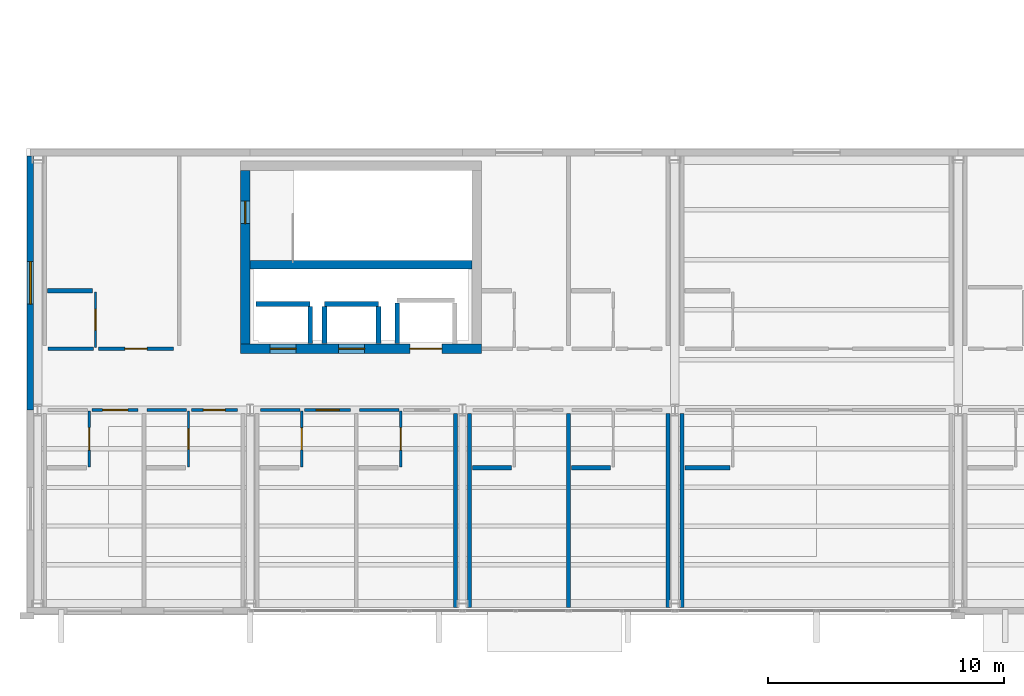
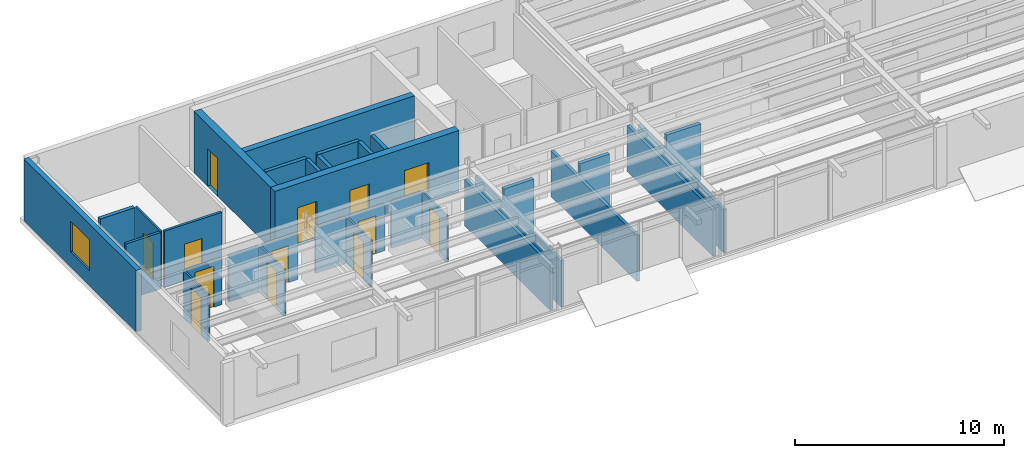
# One storey, part 12 of 19: 32 walls, 13 doors, 1 window, 14 openings.
"""IFC4 building model written with IfcOpenShell, lengths in metres."""

from ifc_helpers import new_model, si_unit, direction, frame, frame_2d, origin, place, context, subcontext, project, spatial, rectangle, extrude, material, layer, layer_set, type_object, element, fill, save


model = new_model("IFC4")

# Units and contexts
model_context = context("Model", 3, precision=1e-05, world=origin(), true_north=direction((0.0, 1.0)))
body_context = subcontext(model_context, "Body", "Model", "MODEL_VIEW")
ifc_project = project(units=[si_unit("LENGTHUNIT", "METRE"), si_unit("AREAUNIT", "SQUARE_METRE"), si_unit("VOLUMEUNIT", "CUBIC_METRE"), si_unit("PLANEANGLEUNIT", "RADIAN"), si_unit("MASSUNIT", "GRAM", prefix="KILO")], contexts=[model_context])

# Site, building, storey
site_placement = place(None, origin())
site = spatial("IfcSite", under=ifc_project, at=site_placement, CompositionType="ELEMENT")
building_placement = place(site_placement, origin())
building = spatial("IfcBuilding", under=site, at=building_placement, Name="Sollismere Congress Hotel", CompositionType="ELEMENT")
storey_placement = place(building_placement, frame((0.0, 0.0, 44.60009765625)))
storey = spatial("IfcBuildingStorey", under=building, at=storey_placement, Name="L11", CompositionType="ELEMENT", Elevation=44.60009765625)

# Wall, opening, window
ifc_material_1 = material(Name="Colorado Buff Sandstone Rainscreen on Insulated Backup", Category="masonry")
ifc_layer_1 = layer(ifc_material_1, 0.284912109375, Name="Colorado Buff Sandstone Rainscreen on Insulated Backup")
ifc_layer_set_1 = layer_set([ifc_layer_1], Name="Colorado Buff Sandstone Rainscreen on Insulated Backup")
wall_type_1 = type_object("IfcWallType", Name="WL-EXT285", PredefinedType="STANDARD", material=ifc_layer_set_1)
wall_1_placement = place(storey_placement, frame((84.68994140625, 18.965576171875, 0.0), z_axis=(0.0, 0.0, 1.0), x_axis=(0.0, -1.0, 0.0)))
wall_1 = element("IfcWall", 1, at=wall_1_placement, inside=storey, type_object=wall_type_1, Name="Exterior wall EW-L11-1030", PredefinedType="STANDARD", context=body_context, shape_type="SweptSolid", body=[
    extrude(rectangle(XDim=10.765625, YDim=0.284912109375, at=frame_2d((5.3828125, 0.0))), origin(), (0.0, 0.0, 1.0), 3.599853515625),
])
opening_1_placement = place(wall_1_placement, frame((4.482666015625, 0.0, 0.8798828125)))
opening_1 = element("IfcOpeningElement", 2, at=opening_1_placement, cuts=wall_1, Name="Opening W-L11-731", PredefinedType="OPENING", context=body_context, shape_type="SweptSolid", body=[
    extrude(rectangle(XDim=1.800048828125, YDim=1.800048828125, at=frame_2d((0.89990234375, 0.89990234375))), frame((0.0, 0.15234375, 0.0), z_axis=(0.0, -1.0, 0.0), x_axis=(1.0, 0.0, 0.0)), (0.0, 0.0, 1.0), 0.304931640625),
])
ifc_material_2 = material(Name="Thermally Broken Bronze Aluminum & Low-E Glass", Category="aluminium")
window_type = type_object("IfcWindowType", Name="WN-P180x180", PartitioningType="SINGLE_PANEL", PredefinedType="WINDOW", material=ifc_material_2)
window_placement = place(opening_1_placement, origin())
window = element("IfcWindow", 3, at=window_placement, inside=storey, type_object=window_type, Name="WIN-W-L11-731", OverallHeight=1.800048828125, OverallWidth=1.800048828125, PartitioningType="SINGLE_PANEL", PredefinedType="WINDOW", context=body_context, shape_type="SweptSolid", body=[
    extrude(rectangle(XDim=1.800048828125, YDim=1.800048828125, at=frame_2d((0.89990234375, 0.89990234375))), frame((0.0, 0.030029296875, 0.0), z_axis=(0.0, -1.0, 0.0), x_axis=(1.0, 0.0, 0.0)), (0.0, 0.0, 1.0), 0.06005859375),
])
fill(opening_1, window)

# Walls
ifc_material_3 = material(Name="Moisture-Resistant Shaft Gypsum Assembly")
ifc_layer_2 = layer(ifc_material_3, 0.199951171875, Name="Moisture-Resistant Shaft Gypsum Assembly")
ifc_layer_set_2 = layer_set([ifc_layer_2], Name="Moisture-Resistant Shaft Gypsum Assembly")
wall_type_2 = type_object("IfcWallType", Name="WL-PLM200", PredefinedType="PLUMBINGWALL", material=ifc_layer_set_2)
wall_2_placement = place(storey_placement, frame((94.2548828125, 12.68994140625, 0.0), z_axis=(0.0, 0.0, 1.0), x_axis=(1.0, 0.0, 0.0)))
element("IfcWall", 4, at=wall_2_placement, inside=storey, type_object=wall_type_2, Name="Interior wall IW-L11-0370", PredefinedType="PLUMBINGWALL", context=body_context, shape_type="SweptSolid", body=[
    extrude(rectangle(XDim=2.2900390625, YDim=0.199951171875, at=frame_2d((1.14501953125, 0.0))), origin(), (0.0, 0.0, 1.0), 3.2998046875),
])
wall_3_placement = place(storey_placement, frame((96.544921875, 11.011962890625, 0.0), z_axis=(0.0, 0.0, 1.0), x_axis=(0.0, 1.0, 0.0)))
element("IfcWall", 5, at=wall_3_placement, inside=storey, type_object=wall_type_2, Name="Interior wall IW-L11-0371", PredefinedType="PLUMBINGWALL", context=body_context, shape_type="SweptSolid", body=[
    extrude(rectangle(XDim=1.56591796875, YDim=0.199951171875, at=frame_2d((0.782958984375, 0.0))), origin(), (0.0, 0.0, 1.0), 3.2998046875),
])
wall_4_placement = place(storey_placement, frame((97.155029296875, 12.68994140625, 0.0), z_axis=(0.0, 0.0, 1.0), x_axis=(1.0, 0.0, 0.0)))
element("IfcWall", 6, at=wall_4_placement, inside=storey, type_object=wall_type_2, Name="Interior wall IW-L11-0372", PredefinedType="PLUMBINGWALL", context=body_context, shape_type="SweptSolid", body=[
    extrude(rectangle(XDim=2.2900390625, YDim=0.199951171875, at=frame_2d((1.14501953125, 0.0))), origin(), (0.0, 0.0, 1.0), 3.2998046875),
])
for number, where, z_axis, x_axis, name in (
    (7, (97.155029296875, 11.011962890625, 0.0), (0.0, 0.0, 1.0), (0.0, 1.0, 0.0), "Interior wall IW-L11-0373"),
    (8, (99.445068359375, 11.011962890625, 0.0), (0.0, 0.0, 1.0), (0.0, 1.0, 0.0), "Interior wall IW-L11-0374"),
):
    element("IfcWall", number, at=place(storey_placement, frame(where, z_axis=z_axis, x_axis=x_axis)), inside=storey, type_object=wall_type_2, Name=name, PredefinedType="PLUMBINGWALL", context=body_context, shape_type="SweptSolid", body=[
        extrude(rectangle(XDim=1.56591796875, YDim=0.199951171875, at=frame_2d((0.782958984375, 0.0))), origin(), (0.0, 0.0, 1.0), 3.2998046875),
    ])
wall_5_placement = place(storey_placement, frame((100.22998046875, 11.011962890625, 0.0), z_axis=(0.0, 0.0, 1.0), x_axis=(0.0, 1.0, 0.0)))
element("IfcWall", 9, at=wall_5_placement, inside=storey, type_object=wall_type_2, Name="Interior wall IW-L11-0376", PredefinedType="PLUMBINGWALL", context=body_context, shape_type="SweptSolid", body=[
    extrude(rectangle(XDim=1.720947265625, YDim=0.199951171875, at=frame_2d((0.8603515625, 0.0))), origin(), (0.0, 0.0, 1.0), 3.2998046875),
])
wall_6_placement = place(storey_placement, frame((85.419921875, 13.25, 0.0), z_axis=(0.0, 0.0, 1.0), x_axis=(1.0, 0.0, 0.0)))
element("IfcWall", 10, at=wall_6_placement, inside=storey, type_object=wall_type_2, Name="Interior wall IW-L11-2890", PredefinedType="PLUMBINGWALL", context=body_context, shape_type="SweptSolid", body=[
    extrude(rectangle(XDim=1.91015625, YDim=0.199951171875, at=frame_2d((0.955078125, 0.0))), origin(), (0.0, 0.0, 1.0), 3.2998046875),
])
wall_7_placement = place(storey_placement, frame((103.419921875, 5.75, 0.0), z_axis=(0.0, 0.0, 1.0), x_axis=(1.0, 0.0, 0.0)))
element("IfcWall", 11, at=wall_7_placement, inside=storey, type_object=wall_type_2, Name="Interior wall IW-L11-2907", PredefinedType="PLUMBINGWALL", context=body_context, shape_type="SweptSolid", body=[
    extrude(rectangle(XDim=1.650146484375, YDim=0.199951171875, at=frame_2d((0.8251953125, 0.0))), origin(), (0.0, 0.0, 1.0), 3.2998046875),
])
wall_8_placement = place(storey_placement, frame((107.6201171875, 5.75, 0.0), z_axis=(0.0, 0.0, 1.0), x_axis=(1.0, 0.0, 0.0)))
element("IfcWall", 12, at=wall_8_placement, inside=storey, type_object=wall_type_2, Name="Interior wall IW-L11-2912", PredefinedType="PLUMBINGWALL", context=body_context, shape_type="SweptSolid", body=[
    extrude(rectangle(XDim=1.64990234375, YDim=0.199951171875, at=frame_2d((0.824951171875, 0.0))), origin(), (0.0, 0.0, 1.0), 3.2998046875),
])
wall_9_placement = place(storey_placement, frame((112.419921875, 5.75, 0.0), z_axis=(0.0, 0.0, 1.0), x_axis=(1.0, 0.0, 0.0)))
element("IfcWall", 13, at=wall_9_placement, inside=storey, type_object=wall_type_2, Name="Interior wall IW-L11-2928", PredefinedType="PLUMBINGWALL", context=body_context, shape_type="SweptSolid", body=[
    extrude(rectangle(XDim=1.91015625, YDim=0.199951171875, at=frame_2d((0.955078125, 0.0))), origin(), (0.0, 0.0, 1.0), 3.2998046875),
])

# Wall, opening, door
ifc_material_4 = material(Name="Moisture-Resistant Gypsum Partition")
ifc_layer_3 = layer(ifc_material_4, 0.10009765625, Name="Moisture-Resistant Gypsum Partition")
ifc_layer_set_3 = layer_set([ifc_layer_3], Name="Moisture-Resistant Gypsum Partition")
wall_type_3 = type_object("IfcWallType", Name="WL-PRT100", PredefinedType="PARTITIONING", material=ifc_layer_set_3)
wall_10_placement = place(storey_placement, frame((87.18994140625, 5.7900390625, 0.0), z_axis=(0.0, 0.0, 1.0), x_axis=(0.0, 1.0, 0.0)))
wall_10 = element("IfcWall", 14, at=wall_10_placement, inside=storey, type_object=wall_type_3, Name="Interior wall IW-L11-2878", PredefinedType="PARTITIONING", context=body_context, shape_type="SweptSolid", body=[
    extrude(rectangle(XDim=2.369873046875, YDim=0.10009765625, at=frame_2d((1.18505859375, 0.0))), origin(), (0.0, 0.0, 1.0), 2.712890625),
])
opening_2_placement = place(wall_10_placement, frame((0.7080078125, 0.0, 0.0)))
opening_2 = element("IfcOpeningElement", 15, at=opening_2_placement, cuts=wall_10, Name="Opening D-L11-1017", PredefinedType="OPENING", context=body_context, shape_type="SweptSolid", body=[
    extrude(rectangle(XDim=0.955078125, YDim=2.139892578125, at=frame_2d((0.4775390625, 1.06982421875))), frame((0.0, 0.06005859375, 0.0), z_axis=(0.0, -1.0, 0.0), x_axis=(1.0, 0.0, 0.0)), (0.0, 0.0, 1.0), 0.1201171875),
])
ifc_material_5 = material(Name="Moisture-Sealed Timber Bathroom Door", Category="wood")
door_type_1 = type_object("IfcDoorType", Name="DR-BT04", OperationType="NOTDEFINED", PredefinedType="DOOR", material=ifc_material_5)
door_1_placement = place(opening_2_placement, origin())
door_1 = element("IfcDoor", 16, at=door_1_placement, inside=storey, type_object=door_type_1, Name="En-suite bathroom door D-L11-1017", OperationType="SINGLE_SWING_RIGHT", OverallHeight=2.139892578125, OverallWidth=0.955078125, PredefinedType="DOOR", context=body_context, shape_type="SweptSolid", body=[
    extrude(rectangle(XDim=0.955078125, YDim=2.139892578125, at=frame_2d((0.4775390625, 1.06982421875))), frame((0.0, 0.02490234375, 0.0), z_axis=(0.0, -1.0, 0.0), x_axis=(1.0, 0.0, 0.0)), (0.0, 0.0, 1.0), 0.050048828125),
])
fill(opening_2, door_1)

wall_11_placement = place(storey_placement, frame((91.389892578125, 5.7900390625, 0.0), z_axis=(0.0, 0.0, 1.0), x_axis=(0.0, 1.0, 0.0)))
wall_11 = element("IfcWall", 17, at=wall_11_placement, inside=storey, type_object=wall_type_3, Name="Interior wall IW-L11-2883", PredefinedType="PARTITIONING", context=body_context, shape_type="SweptSolid", body=[
    extrude(rectangle(XDim=2.369873046875, YDim=0.10009765625, at=frame_2d((1.18505859375, 0.0))), origin(), (0.0, 0.0, 1.0), 2.712890625),
])
opening_3_placement = place(wall_11_placement, frame((0.7451171875, 0.0, 0.0)))
opening_3 = element("IfcOpeningElement", 18, at=opening_3_placement, cuts=wall_11, Name="Opening D-L11-1019", PredefinedType="OPENING", context=body_context, shape_type="SweptSolid", body=[
    extrude(rectangle(XDim=0.8798828125, YDim=2.179931640625, at=frame_2d((0.43994140625, 1.08984375))), frame((0.0, 0.06005859375, 0.0), z_axis=(0.0, -1.0, 0.0), x_axis=(1.0, 0.0, 0.0)), (0.0, 0.0, 1.0), 0.1201171875),
])
door_type_2 = type_object("IfcDoorType", Name="DR-BT05", OperationType="NOTDEFINED", PredefinedType="DOOR", material=ifc_material_5)
door_2_placement = place(opening_3_placement, origin())
door_2 = element("IfcDoor", 19, at=door_2_placement, inside=storey, type_object=door_type_2, Name="En-suite bathroom door D-L11-1019", OperationType="SINGLE_SWING_RIGHT", OverallHeight=2.179931640625, OverallWidth=0.8798828125, PredefinedType="DOOR", context=body_context, shape_type="SweptSolid", body=[
    extrude(rectangle(XDim=0.8798828125, YDim=2.179931640625, at=frame_2d((0.43994140625, 1.08984375))), frame((0.0, 0.02490234375, 0.0), z_axis=(0.0, -1.0, 0.0), x_axis=(1.0, 0.0, 0.0)), (0.0, 0.0, 1.0), 0.050048828125),
])
fill(opening_3, door_2)

wall_12_placement = place(storey_placement, frame((87.449951171875, 10.840087890625, 0.0), z_axis=(0.0, 0.0, 1.0), x_axis=(0.0, 1.0, 0.0)))
wall_12 = element("IfcWall", 20, at=wall_12_placement, inside=storey, type_object=wall_type_3, Name="Interior wall IW-L11-2889", PredefinedType="PARTITIONING", context=body_context, shape_type="SweptSolid", body=[
    extrude(rectangle(XDim=2.369873046875, YDim=0.10009765625, at=frame_2d((1.18505859375, 0.0))), origin(), (0.0, 0.0, 1.0), 3.2998046875),
])
opening_4_placement = place(wall_12_placement, frame((0.73291015625, 0.0, 0.0)))
opening_4 = element("IfcOpeningElement", 21, at=opening_4_placement, cuts=wall_12, Name="Opening D-L11-1021", PredefinedType="OPENING", context=body_context, shape_type="SweptSolid", body=[
    extrude(rectangle(XDim=0.905029296875, YDim=2.179931640625, at=frame_2d((0.45263671875, 1.08984375))), frame((0.0, 0.06005859375, 0.0), z_axis=(0.0, -1.0, 0.0), x_axis=(1.0, 0.0, 0.0)), (0.0, 0.0, 1.0), 0.1201171875),
])
door_type_3 = type_object("IfcDoorType", Name="DR-BT06", OperationType="NOTDEFINED", PredefinedType="DOOR", material=ifc_material_5)
door_3_placement = place(opening_4_placement, origin())
door_3 = element("IfcDoor", 22, at=door_3_placement, inside=storey, type_object=door_type_3, Name="En-suite bathroom door D-L11-1021", OperationType="SINGLE_SWING_RIGHT", OverallHeight=2.179931640625, OverallWidth=0.905029296875, PredefinedType="DOOR", context=body_context, shape_type="SweptSolid", body=[
    extrude(rectangle(XDim=0.905029296875, YDim=2.179931640625, at=frame_2d((0.45263671875, 1.08984375))), frame((0.0, 0.02490234375, 0.0), z_axis=(0.0, -1.0, 0.0), x_axis=(1.0, 0.0, 0.0)), (0.0, 0.0, 1.0), 0.050048828125),
])
fill(opening_4, door_3)

wall_13_placement = place(storey_placement, frame((96.18994140625, 5.7900390625, 0.0), z_axis=(0.0, 0.0, 1.0), x_axis=(0.0, 1.0, 0.0)))
wall_13 = element("IfcWall", 23, at=wall_13_placement, inside=storey, type_object=wall_type_3, Name="Interior wall IW-L11-2895", PredefinedType="PARTITIONING", context=body_context, shape_type="SweptSolid", body=[
    extrude(rectangle(XDim=2.369873046875, YDim=0.10009765625, at=frame_2d((1.18505859375, 0.0))), origin(), (0.0, 0.0, 1.0), 2.712890625),
])
opening_5_placement = place(wall_13_placement, frame((0.719970703125, 0.0, 0.0)))
opening_5 = element("IfcOpeningElement", 24, at=opening_5_placement, cuts=wall_13, Name="Opening D-L11-1023", PredefinedType="OPENING", context=body_context, shape_type="SweptSolid", body=[
    extrude(rectangle(XDim=0.929931640625, YDim=2.219970703125, at=frame_2d((0.46484375, 1.10986328125))), frame((0.0, 0.06005859375, 0.0), z_axis=(0.0, -1.0, 0.0), x_axis=(1.0, 0.0, 0.0)), (0.0, 0.0, 1.0), 0.1201171875),
])
door_type_4 = type_object("IfcDoorType", Name="DR-BT07", OperationType="NOTDEFINED", PredefinedType="DOOR", material=ifc_material_5)
door_4_placement = place(opening_5_placement, origin())
door_4 = element("IfcDoor", 25, at=door_4_placement, inside=storey, type_object=door_type_4, Name="En-suite bathroom door D-L11-1023", OperationType="SINGLE_SWING_RIGHT", OverallHeight=2.219970703125, OverallWidth=0.929931640625, PredefinedType="DOOR", context=body_context, shape_type="SweptSolid", body=[
    extrude(rectangle(XDim=0.929931640625, YDim=2.219970703125, at=frame_2d((0.46484375, 1.10986328125))), frame((0.0, 0.02490234375, 0.0), z_axis=(0.0, -1.0, 0.0), x_axis=(1.0, 0.0, 0.0)), (0.0, 0.0, 1.0), 0.050048828125),
])
fill(opening_5, door_4)

wall_14_placement = place(storey_placement, frame((100.389892578125, 5.7900390625, 0.0), z_axis=(0.0, 0.0, 1.0), x_axis=(0.0, 1.0, 0.0)))
wall_14 = element("IfcWall", 26, at=wall_14_placement, inside=storey, type_object=wall_type_3, Name="Interior wall IW-L11-2900", PredefinedType="PARTITIONING", context=body_context, shape_type="SweptSolid", body=[
    extrude(rectangle(XDim=2.369873046875, YDim=0.10009765625, at=frame_2d((1.18505859375, 0.0))), origin(), (0.0, 0.0, 1.0), 2.712890625),
])
opening_6_placement = place(wall_14_placement, frame((0.7080078125, 0.0, 0.0)))
opening_6 = element("IfcOpeningElement", 27, at=opening_6_placement, cuts=wall_14, Name="Opening D-L11-1025", PredefinedType="OPENING", context=body_context, shape_type="SweptSolid", body=[
    extrude(rectangle(XDim=0.955078125, YDim=2.219970703125, at=frame_2d((0.4775390625, 1.10986328125))), frame((0.0, 0.06005859375, 0.0), z_axis=(0.0, -1.0, 0.0), x_axis=(1.0, 0.0, 0.0)), (0.0, 0.0, 1.0), 0.1201171875),
])
door_type_5 = type_object("IfcDoorType", Name="DR-BT08", OperationType="NOTDEFINED", PredefinedType="DOOR", material=ifc_material_5)
door_5_placement = place(opening_6_placement, origin())
door_5 = element("IfcDoor", 28, at=door_5_placement, inside=storey, type_object=door_type_5, Name="En-suite bathroom door D-L11-1025", OperationType="SINGLE_SWING_RIGHT", OverallHeight=2.219970703125, OverallWidth=0.955078125, PredefinedType="DOOR", context=body_context, shape_type="SweptSolid", body=[
    extrude(rectangle(XDim=0.955078125, YDim=2.219970703125, at=frame_2d((0.4775390625, 1.10986328125))), frame((0.0, 0.02490234375, 0.0), z_axis=(0.0, -1.0, 0.0), x_axis=(1.0, 0.0, 0.0)), (0.0, 0.0, 1.0), 0.050048828125),
])
fill(opening_6, door_5)

ifc_material_6 = material(Name="Fire-Rated Gypsum Partition")
ifc_layer_4 = layer(ifc_material_6, 0.139892578125, Name="Fire-Rated Gypsum Partition")
ifc_layer_set_4 = layer_set([ifc_layer_4], Name="Fire-Rated Gypsum Partition")
wall_type_4 = type_object("IfcWallType", Name="WL-PRT140R", PredefinedType="PARTITIONING", material=ifc_layer_set_4)
wall_15_placement = place(storey_placement, frame((87.31005859375, 8.199951171875, 0.0), z_axis=(0.0, 0.0, 1.0), x_axis=(1.0, 0.0, 0.0)))
wall_15 = element("IfcWall", 29, at=wall_15_placement, inside=storey, type_object=wall_type_4, Name="Interior wall IW-L11-2875", PredefinedType="PARTITIONING", context=body_context, shape_type="SweptSolid", body=[
    extrude(rectangle(XDim=1.949951171875, YDim=0.139892578125, at=frame_2d((0.97509765625, 0.0))), origin(), (0.0, 0.0, 1.0), 2.712890625),
])
opening_7_placement = place(wall_15_placement, frame((0.43994140625, 0.0, 0.0)))
opening_7 = element("IfcOpeningElement", 30, at=opening_7_placement, cuts=wall_15, Name="Opening D-L11-1016", PredefinedType="OPENING", context=body_context, shape_type="SweptSolid", body=[
    extrude(rectangle(XDim=1.070068359375, YDim=2.39990234375, at=frame_2d((0.53515625, 1.199951171875))), frame((0.0, 0.079833984375, 0.0), z_axis=(0.0, -1.0, 0.0), x_axis=(1.0, 0.0, 0.0)), (0.0, 0.0, 1.0), 0.159912109375),
])
ifc_material_7 = material(Name="Solid-Core Acoustic Walnut Guestroom Entry Door")
door_type_6 = type_object("IfcDoorType", Name="DR-KY12", OperationType="NOTDEFINED", PredefinedType="DOOR", material=ifc_material_7)
door_6_placement = place(opening_7_placement, origin())
door_6 = element("IfcDoor", 31, at=door_6_placement, inside=storey, type_object=door_type_6, Name="Hotel room entry door D-L11-1016", OperationType="SINGLE_SWING_LEFT", OverallHeight=2.39990234375, OverallWidth=1.070068359375, PredefinedType="DOOR", context=body_context, shape_type="SweptSolid", body=[
    extrude(rectangle(XDim=1.070068359375, YDim=2.39990234375, at=frame_2d((0.53515625, 1.199951171875))), frame((0.0, 0.02490234375, 0.0), z_axis=(0.0, -1.0, 0.0), x_axis=(1.0, 0.0, 0.0)), (0.0, 0.0, 1.0), 0.050048828125),
])
fill(opening_7, door_6)

# Wall
wall_16_placement = place(storey_placement, frame((89.639892578125, 8.199951171875, 0.0), z_axis=(0.0, 0.0, 1.0), x_axis=(1.0, 0.0, 0.0)))
element("IfcWall", 32, at=wall_16_placement, inside=storey, type_object=wall_type_4, Name="Interior wall IW-L11-2880", PredefinedType="PARTITIONING", context=body_context, shape_type="SweptSolid", body=[
    extrude(rectangle(XDim=1.670166015625, YDim=0.139892578125, at=frame_2d((0.8349609375, 0.0))), origin(), (0.0, 0.0, 1.0), 2.712890625),
])

# Wall, opening, door
wall_17_placement = place(storey_placement, frame((91.510009765625, 8.199951171875, 0.0), z_axis=(0.0, 0.0, 1.0), x_axis=(1.0, 0.0, 0.0)))
wall_17 = element("IfcWall", 33, at=wall_17_placement, inside=storey, type_object=wall_type_4, Name="Interior wall IW-L11-2881", PredefinedType="PARTITIONING", context=body_context, shape_type="SweptSolid", body=[
    extrude(rectangle(XDim=1.949951171875, YDim=0.139892578125, at=frame_2d((0.97509765625, 0.0))), origin(), (0.0, 0.0, 1.0), 2.712890625),
])
opening_8_placement = place(wall_17_placement, frame((0.514892578125, 0.0, 0.0)))
opening_8 = element("IfcOpeningElement", 34, at=opening_8_placement, cuts=wall_17, Name="Opening D-L11-1018", PredefinedType="OPENING", context=body_context, shape_type="SweptSolid", body=[
    extrude(rectangle(XDim=0.919921875, YDim=2.14990234375, at=frame_2d((0.4599609375, 1.074951171875))), frame((0.0, 0.079833984375, 0.0), z_axis=(0.0, -1.0, 0.0), x_axis=(1.0, 0.0, 0.0)), (0.0, 0.0, 1.0), 0.159912109375),
])
door_type_7 = type_object("IfcDoorType", Name="DR-KY01", OperationType="NOTDEFINED", PredefinedType="DOOR", material=ifc_material_7)
door_7_placement = place(opening_8_placement, origin())
door_7 = element("IfcDoor", 35, at=door_7_placement, inside=storey, type_object=door_type_7, Name="Hotel room entry door D-L11-1018", OperationType="SINGLE_SWING_LEFT", OverallHeight=2.14990234375, OverallWidth=0.919921875, PredefinedType="DOOR", context=body_context, shape_type="SweptSolid", body=[
    extrude(rectangle(XDim=0.919921875, YDim=2.14990234375, at=frame_2d((0.4599609375, 1.074951171875))), frame((0.0, 0.02490234375, 0.0), z_axis=(0.0, -1.0, 0.0), x_axis=(1.0, 0.0, 0.0)), (0.0, 0.0, 1.0), 0.050048828125),
])
fill(opening_8, door_7)

# Wall
wall_18_placement = place(storey_placement, frame((85.43994140625, 10.800048828125, 0.0), z_axis=(0.0, 0.0, 1.0), x_axis=(1.0, 0.0, 0.0)))
element("IfcWall", 36, at=wall_18_placement, inside=storey, type_object=wall_type_4, Name="Interior wall IW-L11-2885", PredefinedType="PARTITIONING", context=body_context, shape_type="SweptSolid", body=[
    extrude(rectangle(XDim=1.93017578125, YDim=0.139892578125, at=frame_2d((0.965087890625, 0.0))), origin(), (0.0, 0.0, 1.0), 3.2998046875),
])

# Wall, opening, door
wall_19_placement = place(storey_placement, frame((87.570068359375, 10.800048828125, 0.0), z_axis=(0.0, 0.0, 1.0), x_axis=(1.0, 0.0, 0.0)))
wall_19 = element("IfcWall", 37, at=wall_19_placement, inside=storey, type_object=wall_type_4, Name="Interior wall IW-L11-2886", PredefinedType="PARTITIONING", context=body_context, shape_type="SweptSolid", body=[
    extrude(rectangle(XDim=3.18994140625, YDim=0.139892578125, at=frame_2d((1.594970703125, 0.0))), origin(), (0.0, 0.0, 1.0), 3.2998046875),
])
opening_9_placement = place(wall_19_placement, frame((1.1201171875, 0.0, 0.0)))
opening_9 = element("IfcOpeningElement", 38, at=opening_9_placement, cuts=wall_19, Name="Opening D-L11-1020", PredefinedType="OPENING", context=body_context, shape_type="SweptSolid", body=[
    extrude(rectangle(XDim=0.949951171875, YDim=2.14990234375, at=frame_2d((0.47509765625, 1.074951171875))), frame((0.0, 0.079833984375, 0.0), z_axis=(0.0, -1.0, 0.0), x_axis=(1.0, 0.0, 0.0)), (0.0, 0.0, 1.0), 0.159912109375),
])
door_type_8 = type_object("IfcDoorType", Name="DR-KY02", OperationType="NOTDEFINED", PredefinedType="DOOR", material=ifc_material_7)
door_8_placement = place(opening_9_placement, origin())
door_8 = element("IfcDoor", 39, at=door_8_placement, inside=storey, type_object=door_type_8, Name="Hotel room entry door D-L11-1020", OperationType="SINGLE_SWING_LEFT", OverallHeight=2.14990234375, OverallWidth=0.949951171875, PredefinedType="DOOR", context=body_context, shape_type="SweptSolid", body=[
    extrude(rectangle(XDim=0.949951171875, YDim=2.14990234375, at=frame_2d((0.47509765625, 1.074951171875))), frame((0.0, 0.02490234375, 0.0), z_axis=(0.0, -1.0, 0.0), x_axis=(1.0, 0.0, 0.0)), (0.0, 0.0, 1.0), 0.050048828125),
])
fill(opening_9, door_8)

# Wall
wall_20_placement = place(storey_placement, frame((94.43994140625, 8.199951171875, 0.0), z_axis=(0.0, 0.0, 1.0), x_axis=(1.0, 0.0, 0.0)))
element("IfcWall", 40, at=wall_20_placement, inside=storey, type_object=wall_type_4, Name="Interior wall IW-L11-2891", PredefinedType="PARTITIONING", context=body_context, shape_type="SweptSolid", body=[
    extrude(rectangle(XDim=1.670166015625, YDim=0.139892578125, at=frame_2d((0.8349609375, 0.0))), origin(), (0.0, 0.0, 1.0), 2.712890625),
])

# Wall, opening, door
wall_21_placement = place(storey_placement, frame((96.31005859375, 8.199951171875, 0.0), z_axis=(0.0, 0.0, 1.0), x_axis=(1.0, 0.0, 0.0)))
wall_21 = element("IfcWall", 41, at=wall_21_placement, inside=storey, type_object=wall_type_4, Name="Interior wall IW-L11-2892", PredefinedType="PARTITIONING", context=body_context, shape_type="SweptSolid", body=[
    extrude(rectangle(XDim=1.949951171875, YDim=0.139892578125, at=frame_2d((0.97509765625, 0.0))), origin(), (0.0, 0.0, 1.0), 2.712890625),
])
opening_10_placement = place(wall_21_placement, frame((0.485107421875, 0.0, 0.0)))
opening_10 = element("IfcOpeningElement", 42, at=opening_10_placement, cuts=wall_21, Name="Opening D-L11-1022", PredefinedType="OPENING", context=body_context, shape_type="SweptSolid", body=[
    extrude(rectangle(XDim=0.97998046875, YDim=2.199951171875, at=frame_2d((0.489990234375, 1.10009765625))), frame((0.0, 0.079833984375, 0.0), z_axis=(0.0, -1.0, 0.0), x_axis=(1.0, 0.0, 0.0)), (0.0, 0.0, 1.0), 0.159912109375),
])
door_type_9 = type_object("IfcDoorType", Name="DR-KY03", OperationType="NOTDEFINED", PredefinedType="DOOR", material=ifc_material_7)
door_9_placement = place(opening_10_placement, origin())
door_9 = element("IfcDoor", 43, at=door_9_placement, inside=storey, type_object=door_type_9, Name="Hotel room entry door D-L11-1022", OperationType="SINGLE_SWING_LEFT", OverallHeight=2.199951171875, OverallWidth=0.97998046875, PredefinedType="DOOR", context=body_context, shape_type="SweptSolid", body=[
    extrude(rectangle(XDim=0.97998046875, YDim=2.199951171875, at=frame_2d((0.489990234375, 1.10009765625))), frame((0.0, 0.02490234375, 0.0), z_axis=(0.0, -1.0, 0.0), x_axis=(1.0, 0.0, 0.0)), (0.0, 0.0, 1.0), 0.050048828125),
])
fill(opening_10, door_9)

# Walls
wall_22_placement = place(storey_placement, frame((98.639892578125, 8.199951171875, 0.0), z_axis=(0.0, 0.0, 1.0), x_axis=(1.0, 0.0, 0.0)))
element("IfcWall", 44, at=wall_22_placement, inside=storey, type_object=wall_type_4, Name="Interior wall IW-L11-2897", PredefinedType="PARTITIONING", context=body_context, shape_type="SweptSolid", body=[
    extrude(rectangle(XDim=1.670166015625, YDim=0.139892578125, at=frame_2d((0.8349609375, 0.0))), origin(), (0.0, 0.0, 1.0), 2.712890625),
])
ifc_material_8 = material(Name="Fire-Rated Acoustic Gypsum Partition")
ifc_layer_5 = layer(ifc_material_8, 0.1650390625, Name="Fire-Rated Acoustic Gypsum Partition")
ifc_layer_set_5 = layer_set([ifc_layer_5], Name="Fire-Rated Acoustic Gypsum Partition")
wall_type_5 = type_object("IfcWallType", Name="WL-PRT165R", PredefinedType="PARTITIONING", material=ifc_layer_set_5)
for number, where, z_axis, x_axis, name in (
    (45, (102.699951171875, -0.159912109375, 0.0), (0.0, 0.0, 1.0), (0.0, 1.0, 0.0), "Interior wall IW-L11-2899"),
    (46, (103.300048828125, -0.159912109375, 0.0), (0.0, 0.0, 1.0), (0.0, 1.0, 0.0), "Interior wall IW-L11-2904"),
    (47, (107.5, -0.159912109375, 0.0), (0.0, 0.0, 1.0), (0.0, 1.0, 0.0), "Interior wall IW-L11-2905"),
    (48, (111.699951171875, -0.159912109375, 0.0), (0.0, 0.0, 1.0), (0.0, 1.0, 0.0), "Interior wall IW-L11-2910"),
):
    element("IfcWall", number, at=place(storey_placement, frame(where, z_axis=z_axis, x_axis=x_axis)), inside=storey, type_object=wall_type_5, Name=name, PredefinedType="PARTITIONING", context=body_context, shape_type="SweptSolid", body=[
        extrude(rectangle(XDim=8.219970703125, YDim=0.1650390625, at=frame_2d((4.10986328125, 0.0))), origin(), (0.0, 0.0, 1.0), 2.68994140625),
    ])
wall_23_placement = place(storey_placement, frame((112.300048828125, -0.159912109375, 0.0), z_axis=(0.0, 0.0, 1.0), x_axis=(0.0, 1.0, 0.0)))
element("IfcWall", 49, at=wall_23_placement, inside=storey, type_object=wall_type_5, Name="Interior wall IW-L11-2925", PredefinedType="PARTITIONING", context=body_context, shape_type="SweptSolid", body=[
    extrude(rectangle(XDim=8.219970703125, YDim=0.1650390625, at=frame_2d((4.10986328125, 0.0))), origin(), (0.0, 0.0, 1.0), 2.537841796875),
])
ifc_material_9 = material(Name="Concrete C50/60", Category="concrete")
ifc_layer_6 = layer(ifc_material_9, 0.35009765625, Name="Concrete C50/60")
ifc_layer_set_6 = layer_set([ifc_layer_6], Name="Concrete C50/60")
wall_type_6 = type_object("IfcWallType", Name="WL-SHR350", PredefinedType="SHEAR", material=ifc_layer_set_6)
wall_24_placement = place(storey_placement, frame((94.0, 14.35009765625, 0.0), z_axis=(0.0, 0.0, 1.0), x_axis=(1.0, 0.0, 0.0)))
element("IfcWall", 50, at=wall_24_placement, inside=storey, type_object=wall_type_6, Name="Interior wall IW-L11-0369", PredefinedType="SHEAR", context=body_context, shape_type="SweptSolid", body=[
    extrude(rectangle(XDim=9.39990234375, YDim=0.35009765625, at=frame_2d((4.699951171875, 0.0))), origin(), (0.0, 0.0, 1.0), 3.599853515625),
])

# Wall, openings, doors
ifc_layer_7 = layer(ifc_material_9, 0.39990234375, Name="Concrete C50/60")
ifc_layer_set_7 = layer_set([ifc_layer_7], Name="Concrete C50/60")
wall_type_7 = type_object("IfcWallType", Name="WL-SHR400", PredefinedType="SHEAR", material=ifc_layer_set_7)
wall_25_placement = place(storey_placement, frame((93.60009765625, 10.800048828125, 0.0), z_axis=(0.0, 0.0, 1.0), x_axis=(1.0, 0.0, 0.0)))
wall_25 = element("IfcWall", 51, at=wall_25_placement, inside=storey, type_object=wall_type_7, Name="Interior wall IW-L11-0365", PredefinedType="SHEAR", context=body_context, shape_type="SweptSolid", body=[
    extrude(rectangle(XDim=10.199951171875, YDim=0.39990234375, at=frame_2d((5.10009765625, 0.0))), origin(), (0.0, 0.0, 1.0), 3.599853515625),
])
opening_11_placement = place(wall_25_placement, frame((1.25, 0.0, 0.0)))
opening_11 = element("IfcOpeningElement", 52, at=opening_11_placement, cuts=wall_25, Name="Opening LD-LP-03-L11", PredefinedType="OPENING", context=body_context, shape_type="SweptSolid", body=[
    extrude(rectangle(XDim=1.10009765625, YDim=2.199951171875, at=frame_2d((0.550048828125, 1.10009765625))), frame((0.0, 0.2099609375, 0.0), z_axis=(0.0, -1.0, 0.0), x_axis=(1.0, 0.0, 0.0)), (0.0, 0.0, 1.0), 0.419921875),
])
opening_12_placement = place(wall_25_placement, frame((4.14990234375, 0.0, 0.0)))
opening_12 = element("IfcOpeningElement", 53, at=opening_12_placement, cuts=wall_25, Name="Opening LD-LP-04-L11", PredefinedType="OPENING", context=body_context, shape_type="SweptSolid", body=[
    extrude(rectangle(XDim=1.10009765625, YDim=2.199951171875, at=frame_2d((0.550048828125, 1.10009765625))), frame((0.0, 0.2099609375, 0.0), z_axis=(0.0, -1.0, 0.0), x_axis=(1.0, 0.0, 0.0)), (0.0, 0.0, 1.0), 0.419921875),
])
opening_13_placement = place(wall_25_placement, frame((7.175048828125, 0.0, 0.0)))
opening_13 = element("IfcOpeningElement", 54, at=opening_13_placement, cuts=wall_25, Name="Opening LD-LS-01-L11", PredefinedType="OPENING", context=body_context, shape_type="SweptSolid", body=[
    extrude(rectangle(XDim=1.35009765625, YDim=2.300048828125, at=frame_2d((0.675048828125, 1.14990234375))), frame((0.0, 0.2099609375, 0.0), z_axis=(0.0, -1.0, 0.0), x_axis=(1.0, 0.0, 0.0)), (0.0, 0.0, 1.0), 0.419921875),
])
ifc_material_10 = material(Name="Brushed Bronze Sliding Elevator Landing Door")
door_type_10 = type_object("IfcDoorType", Name="DR-LD110", OperationType="NOTDEFINED", PredefinedType="DOOR", material=ifc_material_10)
door_10_placement = place(opening_11_placement, origin())
door_10 = element("IfcDoor", 55, at=door_10_placement, inside=storey, type_object=door_type_10, Name="Elevator landing door LD-LP-03-L11", OperationType="SLIDING_TO_LEFT", OverallHeight=2.199951171875, OverallWidth=1.10009765625, PredefinedType="DOOR", context=body_context, shape_type="SweptSolid", body=[
    extrude(rectangle(XDim=1.10009765625, YDim=2.199951171875, at=frame_2d((0.550048828125, 1.10009765625))), frame((0.0, 0.02490234375, 0.0), z_axis=(0.0, -1.0, 0.0), x_axis=(1.0, 0.0, 0.0)), (0.0, 0.0, 1.0), 0.050048828125),
])
fill(opening_11, door_10)
door_11_placement = place(opening_12_placement, origin())
door_11 = element("IfcDoor", 56, at=door_11_placement, inside=storey, type_object=door_type_10, Name="Elevator landing door LD-LP-04-L11", OperationType="SLIDING_TO_RIGHT", OverallHeight=2.199951171875, OverallWidth=1.10009765625, PredefinedType="DOOR", context=body_context, shape_type="SweptSolid", body=[
    extrude(rectangle(XDim=1.10009765625, YDim=2.199951171875, at=frame_2d((0.550048828125, 1.10009765625))), frame((0.0, 0.02490234375, 0.0), z_axis=(0.0, -1.0, 0.0), x_axis=(1.0, 0.0, 0.0)), (0.0, 0.0, 1.0), 0.050048828125),
])
fill(opening_12, door_11)
ifc_material_11 = material(Name="Heavy-Duty Stainless Sliding Service Landing Door")
door_type_11 = type_object("IfcDoorType", Name="DR-LD135", OperationType="NOTDEFINED", PredefinedType="DOOR", material=ifc_material_11)
door_12_placement = place(opening_13_placement, origin())
door_12 = element("IfcDoor", 57, at=door_12_placement, inside=storey, type_object=door_type_11, Name="Elevator landing door LD-LS-01-L11", OperationType="SLIDING_TO_LEFT", OverallHeight=2.300048828125, OverallWidth=1.35009765625, PredefinedType="DOOR", context=body_context, shape_type="SweptSolid", body=[
    extrude(rectangle(XDim=1.35009765625, YDim=2.300048828125, at=frame_2d((0.675048828125, 1.14990234375))), frame((0.0, 0.02490234375, 0.0), z_axis=(0.0, -1.0, 0.0), x_axis=(1.0, 0.0, 0.0)), (0.0, 0.0, 1.0), 0.050048828125),
])
fill(opening_13, door_12)

# Wall, opening, door
wall_26_placement = place(storey_placement, frame((93.800048828125, 18.35009765625, 0.0), z_axis=(0.0, 0.0, 1.0), x_axis=(0.0, -1.0, 0.0)))
wall_26 = element("IfcWall", 58, at=wall_26_placement, inside=storey, type_object=wall_type_7, Name="Interior wall IW-L11-0367", PredefinedType="SHEAR", context=body_context, shape_type="SweptSolid", body=[
    extrude(rectangle(XDim=7.35009765625, YDim=0.39990234375, at=frame_2d((3.675048828125, 0.0))), origin(), (0.0, 0.0, 1.0), 3.599853515625),
])
opening_14_placement = place(wall_26_placement, frame((1.300048828125, 0.0, 0.0)))
opening_14 = element("IfcOpeningElement", 59, at=opening_14_placement, cuts=wall_26, Name="Opening D-ST-02-L11", PredefinedType="OPENING", context=body_context, shape_type="SweptSolid", body=[
    extrude(rectangle(XDim=0.949951171875, YDim=2.199951171875, at=frame_2d((0.47509765625, 1.10009765625))), frame((0.0, 0.2099609375, 0.0), z_axis=(0.0, -1.0, 0.0), x_axis=(1.0, 0.0, 0.0)), (0.0, 0.0, 1.0), 0.419921875),
])
ifc_material_12 = material(Name="Fire-Rated Insulated Steel Door", Category="steel")
door_type_12 = type_object("IfcDoorType", Name="DR-FD90", OperationType="NOTDEFINED", PredefinedType="DOOR", material=ifc_material_12)
door_13_placement = place(opening_14_placement, origin())
door_13 = element("IfcDoor", 60, at=door_13_placement, inside=storey, type_object=door_type_12, Name="Exit stair fire door D-ST-02-L11", OperationType="SINGLE_SWING_RIGHT", OverallHeight=2.199951171875, OverallWidth=0.949951171875, PredefinedType="DOOR", context=body_context, shape_type="SweptSolid", body=[
    extrude(rectangle(XDim=0.949951171875, YDim=2.199951171875, at=frame_2d((0.47509765625, 1.10009765625))), frame((0.0, 0.02490234375, 0.0), z_axis=(0.0, -1.0, 0.0), x_axis=(1.0, 0.0, 0.0)), (0.0, 0.0, 1.0), 0.050048828125),
])
fill(opening_14, door_13)

save(model, "model.ifc")
